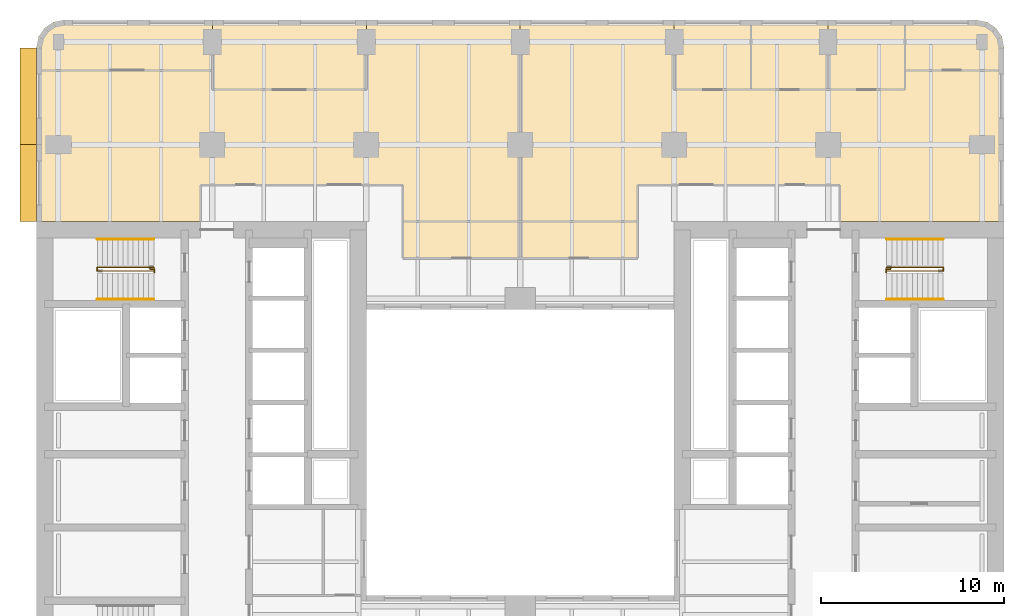
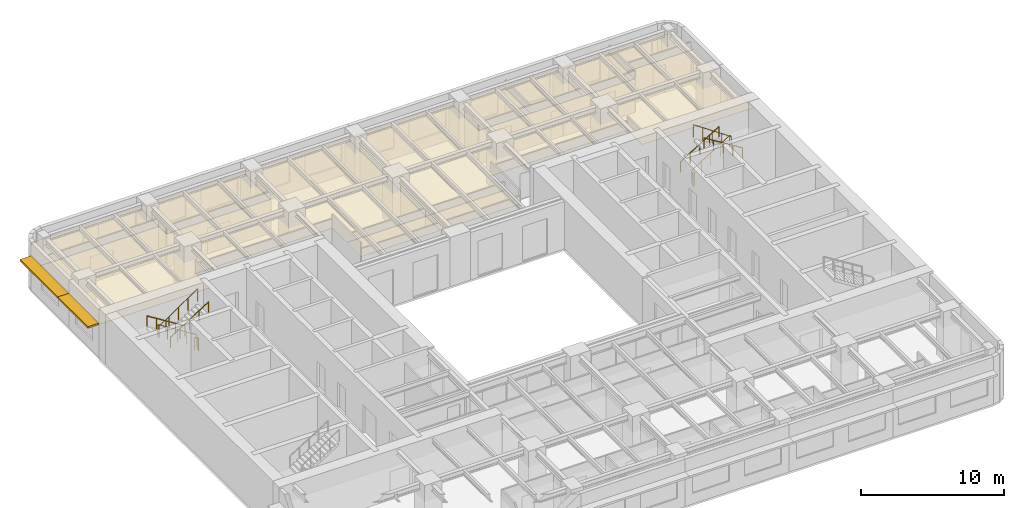
# One storey, part 11 of 11: 10 coverings, 8 railings, 2 shading devices.
"""IFC4 building model written with IfcOpenShell, lengths in metres."""

from ifc_helpers import new_model, si_unit, direction, frame, origin, origin_2d, place, context, subcontext, project, spatial, polyline, rectangle, circle, outline, extrude, material, layer, layer_set, type_object, element, save


model = new_model("IFC4")

# Units and contexts
model_context = context("Model", 3, precision=1e-05, world=origin(), true_north=direction((0.0, 1.0)))
body_context = subcontext(model_context, "Body", "Model", "MODEL_VIEW")
ifc_project = project(units=[si_unit("LENGTHUNIT", "METRE"), si_unit("AREAUNIT", "SQUARE_METRE"), si_unit("VOLUMEUNIT", "CUBIC_METRE"), si_unit("PLANEANGLEUNIT", "RADIAN"), si_unit("MASSUNIT", "GRAM", prefix="KILO")], contexts=[model_context])

# Site, building, storey
site_placement = place(None, origin())
site = spatial("IfcSite", under=ifc_project, at=site_placement, CompositionType="ELEMENT")
building_placement = place(site_placement, origin())
building = spatial("IfcBuilding", under=site, at=building_placement, Name="Claustro Exchange Tower", CompositionType="ELEMENT")
storey_placement = place(building_placement, frame((0.0, 0.0, 134.39990234375)))
storey = spatial("IfcBuildingStorey", under=building, at=storey_placement, Name="L30", CompositionType="ELEMENT", Elevation=134.39990234375)

# Coverings
ifc_material_1 = material(Name="Perforated metal ceiling tiles", Category="steel")
ifc_layer_1 = layer(ifc_material_1, 0.030029296875)
ifc_layer_set_1 = layer_set([ifc_layer_1], Name="Perforated metal ceiling tiles")
covering_type_1 = type_object("IfcCoveringType", Name="CL1 suspended metal ceiling", PredefinedType="CEILING", material=ifc_layer_set_1)
covering_1_placement = place(storey_placement, frame((0.0, 0.0, 2.800048828125)))
element("IfcCovering", 1, at=covering_1_placement, inside=storey, type_object=covering_type_1, Name="Ceiling CL1 L30-21", PredefinedType="CEILING", context=body_context, shape_type="SweptSolid", body=[
    extrude(outline(polyline([(-1.199951171875, 46.050048828125), (-1.199951171875, 37.800048828125), (7.75, 37.800048828125), (7.75, 39.800048828125), (16.800048828125, 39.800048828125), (18.800048828125, 39.800048828125), (18.800048828125, 37.800048828125), (25.199951171875, 37.800048828125), (25.199951171875, 48.800048828125), (16.800048828125, 48.800048828125), (16.800048828125, 45.0), (8.39990234375, 45.0), (8.39990234375, 46.050048828125), (-1.199951171875, 46.050048828125)])), origin(), (0.0, 0.0, 1.0), 0.030029296875),
])
ifc_material_2 = material(Name="Gypsum board ceiling", Category="gypsum board")
ifc_layer_2 = layer(ifc_material_2, 0.02490234375)
ifc_layer_set_2 = layer_set([ifc_layer_2], Name="Gypsum board ceiling")
covering_type_2 = type_object("IfcCoveringType", Name="CL2 plasterboard ceiling", PredefinedType="CEILING", material=ifc_layer_set_2)
covering_2_placement = place(storey_placement, frame((0.0, 0.0, 2.800048828125)))
element("IfcCovering", 2, at=covering_2_placement, inside=storey, type_object=covering_type_2, Name="Ceiling CL2 L30-18", PredefinedType="CEILING", context=body_context, shape_type="SweptSolid", body=[
    extrude(outline(polyline([(18.800048828125, 35.800048828125), (25.199951171875, 35.800048828125), (25.199951171875, 37.800048828125), (18.800048828125, 37.800048828125), (18.800048828125, 35.800048828125)])), origin(), (0.0, 0.0, 1.0), 0.025146484375),
])
covering_3_placement = place(storey_placement, frame((0.0, 0.0, 2.800048828125)))
element("IfcCovering", 3, at=covering_3_placement, inside=storey, type_object=covering_type_2, Name="Ceiling CL2 L30-19", PredefinedType="CEILING", context=body_context, shape_type="SweptSolid", body=[
    extrude(outline(polyline([(25.199951171875, 35.800048828125), (31.60009765625, 35.800048828125), (31.60009765625, 37.800048828125), (25.199951171875, 37.800048828125), (25.199951171875, 35.800048828125)])), origin(), (0.0, 0.0, 1.0), 0.025146484375),
])
covering_4_placement = place(storey_placement, frame((0.0, 0.0, 2.800048828125)))
element("IfcCovering", 4, at=covering_4_placement, inside=storey, type_object=covering_type_2, Name="Ceiling CL2 L30-20", PredefinedType="CEILING", context=body_context, shape_type="SweptSolid", body=[
    extrude(outline(polyline([(33.60009765625, 48.800048828125), (25.199951171875, 48.800048828125), (25.199951171875, 37.800048828125), (31.60009765625, 37.800048828125), (31.60009765625, 39.800048828125), (42.64990234375, 39.800048828125), (42.64990234375, 37.800048828125), (51.60009765625, 37.800048828125), (51.60009765625, 46.050048828125), (46.199951171875, 46.050048828125), (46.199951171875, 45.0), (42.0, 45.0), (37.800048828125, 45.0), (33.60009765625, 45.0), (33.60009765625, 48.800048828125)])), origin(), (0.0, 0.0, 1.0), 0.025146484375),
])
covering_5_placement = place(storey_placement, frame((0.0, 0.0, 2.800048828125)))
element("IfcCovering", 5, at=covering_5_placement, inside=storey, type_object=covering_type_2, Name="Ceiling CL2 L30-22", PredefinedType="CEILING", context=body_context, shape_type="SweptSolid", body=[
    extrude(outline(polyline([(16.800048828125, 48.800048828125), (8.39990234375, 48.800048828125), (8.39990234375, 45.0), (16.800048828125, 45.0), (16.800048828125, 48.800048828125)])), origin(), (0.0, 0.0, 1.0), 0.025146484375),
])
covering_6_placement = place(storey_placement, frame((0.0, 0.0, 2.800048828125)))
element("IfcCovering", 6, at=covering_6_placement, inside=storey, type_object=covering_type_2, Name="Ceiling CL2 L30-23", PredefinedType="CEILING", context=body_context, shape_type="SweptSolid", body=[
    extrude(outline(polyline([(37.800048828125, 48.800048828125), (33.60009765625, 48.800048828125), (33.60009765625, 45.0), (37.800048828125, 45.0), (37.800048828125, 48.800048828125)])), origin(), (0.0, 0.0, 1.0), 0.025146484375),
])
covering_7_placement = place(storey_placement, frame((0.0, 0.0, 2.800048828125)))
element("IfcCovering", 7, at=covering_7_placement, inside=storey, type_object=covering_type_2, Name="Ceiling CL2 L30-24", PredefinedType="CEILING", context=body_context, shape_type="SweptSolid", body=[
    extrude(outline(polyline([(42.0, 48.800048828125), (37.800048828125, 48.800048828125), (37.800048828125, 45.0), (42.0, 45.0), (42.0, 48.800048828125)])), origin(), (0.0, 0.0, 1.0), 0.025146484375),
])
covering_8_placement = place(storey_placement, frame((0.0, 0.0, 2.800048828125)))
element("IfcCovering", 8, at=covering_8_placement, inside=storey, type_object=covering_type_2, Name="Ceiling CL2 L30-25", PredefinedType="CEILING", context=body_context, shape_type="SweptSolid", body=[
    extrude(outline(polyline([(46.199951171875, 48.800048828125), (42.0, 48.800048828125), (42.0, 45.0), (46.199951171875, 45.0), (46.199951171875, 48.800048828125)])), origin(), (0.0, 0.0, 1.0), 0.025146484375),
])
covering_9_placement = place(storey_placement, frame((0.0, 0.0, 2.800048828125)))
element("IfcCovering", 9, at=covering_9_placement, inside=storey, type_object=covering_type_2, Name="Ceiling CL2 L30-26", PredefinedType="CEILING", context=body_context, shape_type="SweptSolid", body=[
    extrude(outline(polyline([(-1.199951171875, 47.300048828125), (-1.199951171875, 46.050048828125), (8.39990234375, 46.050048828125), (8.39990234375, 48.800048828125), (0.300048828125, 48.800048828125), (-0.27392578125, 48.685791015625), (-0.7607421875, 48.360595703125), (-1.085693359375, 47.8740234375), (-1.199951171875, 47.300048828125)])), origin(), (0.0, 0.0, 1.0), 0.025146484375),
])
covering_10_placement = place(storey_placement, frame((0.0, 0.0, 2.800048828125)))
element("IfcCovering", 10, at=covering_10_placement, inside=storey, type_object=covering_type_2, Name="Ceiling CL2 L30-27", PredefinedType="CEILING", context=body_context, shape_type="SweptSolid", body=[
    extrude(outline(polyline([(50.10009765625, 48.800048828125), (46.199951171875, 48.800048828125), (46.199951171875, 46.050048828125), (51.60009765625, 46.050048828125), (51.60009765625, 47.300048828125), (51.48583984375, 47.8740234375), (51.16064453125, 48.360595703125), (50.674072265625, 48.685791015625), (50.10009765625, 48.800048828125)])), origin(), (0.0, 0.0, 1.0), 0.025146484375),
])

# Railings
ifc_material_3 = material(Name="Steel balustrade, painted", Category="steel")
railing_type_1 = type_object("IfcRailingType", Name="GR2 1100 steel stair guard", PredefinedType="GUARDRAIL", material=ifc_material_3)
railing_1_placement = place(storey_placement, frame((5.199951171875, 35.300048828125, 0.175048828125)))
element("IfcRailing", 11, at=railing_1_placement, inside=storey, type_object=railing_type_1, Name="Stair well guard GR2 stair STWB L30", PredefinedType="GUARDRAIL", context=body_context, shape_type="SweptSolid", body=[
    extrude(circle(Radius=0.02392578125, at=origin_2d()), frame((0.0, 0.0, 1.076171875), z_axis=(-0.847979421464, 0.0, 0.530029150871), x_axis=(0.0, -1.0, 0.0)), (0.0, 0.0, 1.0), 3.632080078125),
    extrude(circle(Radius=0.02392578125, at=origin_2d()), frame((-3.079833984375, 0.0, 3.0009765625), z_axis=(0.0, -1.0, 0.0), x_axis=(1.0, 0.0, 0.0)), (0.0, 0.0, 1.0), 0.199951171875),
    extrude(circle(Radius=0.02392578125, at=origin_2d()), frame((-3.079833984375, -0.199951171875, 3.0009765625), z_axis=(0.826201015165, 0.0, 0.563375436579), x_axis=(0.0, 1.0, 0.0)), (0.0, 0.0, 1.0), 3.727783203125),
    extrude(circle(Radius=0.02099609375, at=origin_2d()), origin(), (0.0, 0.0, 1.0), 1.052001953125),
    extrude(circle(Radius=0.02099609375, at=origin_2d()), frame((-0.77001953125, 0.0, 0.481201171875)), (0.0, 0.0, 1.0), 1.052001953125),
    extrude(circle(Radius=0.02099609375, at=origin_2d()), frame((-1.5400390625, 0.0, 0.96240234375)), (0.0, 0.0, 1.0), 1.052001953125),
    extrude(circle(Radius=0.02099609375, at=origin_2d()), frame((-2.309814453125, 0.0, 1.44384765625)), (0.0, 0.0, 1.0), 1.052001953125),
    extrude(circle(Radius=0.02099609375, at=origin_2d()), frame((-3.079833984375, 0.0, 1.925048828125)), (0.0, 0.0, 1.0), 1.052001953125),
    extrude(circle(Radius=0.02099609375, at=origin_2d()), frame((-3.079833984375, -0.199951171875, 1.925048828125)), (0.0, 0.0, 1.0), 1.052001953125),
    extrude(circle(Radius=0.02099609375, at=origin_2d()), frame((-2.309814453125, -0.199951171875, 2.4501953125)), (0.0, 0.0, 1.0), 1.052001953125),
    extrude(circle(Radius=0.02099609375, at=origin_2d()), frame((-1.5400390625, -0.199951171875, 2.97509765625)), (0.0, 0.0, 1.0), 1.052001953125),
    extrude(circle(Radius=0.02099609375, at=origin_2d()), frame((-0.77001953125, -0.199951171875, 3.5)), (0.0, 0.0, 1.0), 1.052001953125),
    extrude(circle(Radius=0.02099609375, at=origin_2d()), frame((0.0, -0.199951171875, 4.025146484375)), (0.0, 0.0, 1.0), 1.052001953125),
])
railing_2_placement = place(storey_placement, frame((5.0, 35.22998046875, 0.0)))
element("IfcRailing", 12, at=railing_2_placement, inside=storey, type_object=railing_type_1, Name="Stair guard GR2 STWB L30", PredefinedType="GUARDRAIL", context=body_context, shape_type="SweptSolid", body=[
    extrude(circle(Radius=0.02392578125, at=origin_2d()), frame((0.0, 0.0, 1.076171875), z_axis=(0.0, -1.0, 0.0), x_axis=(1.0, 0.0, 0.0)), (0.0, 0.0, 1.0), 0.030029296875),
    extrude(circle(Radius=0.02392578125, at=origin_2d()), frame((0.0, -0.030029296875, 1.076171875), z_axis=(1.0, 0.0, 0.0), x_axis=(0.0, 1.0, 0.0)), (0.0, 0.0, 1.0), 0.22509765625),
    extrude(circle(Radius=0.02392578125, at=origin_2d()), frame((0.22509765625, -0.030029296875, 1.076171875), z_axis=(0.0, -1.0, 0.0), x_axis=(1.0, 0.0, 0.0)), (0.0, 0.0, 1.0), 0.179931640625),
    extrude(circle(Radius=0.02099609375, at=origin_2d()), origin(), (0.0, 0.0, 1.0), 1.052001953125),
    extrude(circle(Radius=0.02099609375, at=origin_2d()), frame((0.0, -0.030029296875, 0.0)), (0.0, 0.0, 1.0), 1.052001953125),
    extrude(circle(Radius=0.02099609375, at=origin_2d()), frame((0.22509765625, -0.030029296875, 0.0)), (0.0, 0.0, 1.0), 1.052001953125),
    extrude(circle(Radius=0.02099609375, at=origin_2d()), frame((0.22509765625, -0.2099609375, 0.0)), (0.0, 0.0, 1.0), 1.052001953125),
])
railing_3_placement = place(storey_placement, frame((45.199951171875, 35.300048828125, 0.175048828125)))
element("IfcRailing", 13, at=railing_3_placement, inside=storey, type_object=railing_type_1, Name="Stair well guard GR2 stair STEB L30", PredefinedType="GUARDRAIL", context=body_context, shape_type="SweptSolid", body=[
    extrude(circle(Radius=0.02392578125, at=origin_2d()), frame((0.0, 0.0, 1.076171875), z_axis=(0.847998304005, 0.0, 0.529998940003), x_axis=(0.0, 1.0, 0.0)), (0.0, 0.0, 1.0), 3.632080078125),
    extrude(circle(Radius=0.02392578125, at=origin_2d()), frame((3.080078125, 0.0, 3.0009765625), z_axis=(0.0, -1.0, 0.0), x_axis=(1.0, 0.0, 0.0)), (0.0, 0.0, 1.0), 0.199951171875),
    extrude(circle(Radius=0.02392578125, at=origin_2d()), frame((3.080078125, -0.199951171875, 3.0009765625), z_axis=(-0.826221800596, 0.0, 0.563344953133), x_axis=(0.0, -1.0, 0.0)), (0.0, 0.0, 1.0), 3.72802734375),
    extrude(circle(Radius=0.02099609375, at=origin_2d()), origin(), (0.0, 0.0, 1.0), 1.052001953125),
    extrude(circle(Radius=0.02099609375, at=origin_2d()), frame((0.77001953125, 0.0, 0.481201171875)), (0.0, 0.0, 1.0), 1.052001953125),
    extrude(circle(Radius=0.02099609375, at=origin_2d()), frame((1.5400390625, 0.0, 0.96240234375)), (0.0, 0.0, 1.0), 1.052001953125),
    extrude(circle(Radius=0.02099609375, at=origin_2d()), frame((2.31005859375, 0.0, 1.44384765625)), (0.0, 0.0, 1.0), 1.052001953125),
    extrude(circle(Radius=0.02099609375, at=origin_2d()), frame((3.080078125, 0.0, 1.925048828125)), (0.0, 0.0, 1.0), 1.052001953125),
    extrude(circle(Radius=0.02099609375, at=origin_2d()), frame((3.080078125, -0.199951171875, 1.925048828125)), (0.0, 0.0, 1.0), 1.052001953125),
    extrude(circle(Radius=0.02099609375, at=origin_2d()), frame((2.31005859375, -0.199951171875, 2.4501953125)), (0.0, 0.0, 1.0), 1.052001953125),
    extrude(circle(Radius=0.02099609375, at=origin_2d()), frame((1.5400390625, -0.199951171875, 2.97509765625)), (0.0, 0.0, 1.0), 1.052001953125),
    extrude(circle(Radius=0.02099609375, at=origin_2d()), frame((0.77001953125, -0.199951171875, 3.5)), (0.0, 0.0, 1.0), 1.052001953125),
    extrude(circle(Radius=0.02099609375, at=origin_2d()), frame((0.0, -0.199951171875, 4.025146484375)), (0.0, 0.0, 1.0), 1.052001953125),
])
railing_4_placement = place(storey_placement, frame((45.39990234375, 35.22998046875, 0.0)))
element("IfcRailing", 14, at=railing_4_placement, inside=storey, type_object=railing_type_1, Name="Stair guard GR2 STEB L30", PredefinedType="GUARDRAIL", context=body_context, shape_type="SweptSolid", body=[
    extrude(circle(Radius=0.02392578125, at=origin_2d()), frame((0.0, 0.0, 1.076171875), z_axis=(0.0, -1.0, 0.0), x_axis=(1.0, 0.0, 0.0)), (0.0, 0.0, 1.0), 0.030029296875),
    extrude(circle(Radius=0.02392578125, at=origin_2d()), frame((0.0, -0.030029296875, 1.076171875), z_axis=(-1.0, 0.0, 0.0), x_axis=(0.0, -1.0, 0.0)), (0.0, 0.0, 1.0), 0.224853515625),
    extrude(circle(Radius=0.02392578125, at=origin_2d()), frame((-0.224853515625, -0.030029296875, 1.076171875), z_axis=(0.0, -1.0, 0.0), x_axis=(1.0, 0.0, 0.0)), (0.0, 0.0, 1.0), 0.179931640625),
    extrude(circle(Radius=0.02099609375, at=origin_2d()), origin(), (0.0, 0.0, 1.0), 1.052001953125),
    extrude(circle(Radius=0.02099609375, at=origin_2d()), frame((0.0, -0.030029296875, 0.0)), (0.0, 0.0, 1.0), 1.052001953125),
    extrude(circle(Radius=0.02099609375, at=origin_2d()), frame((-0.224853515625, -0.030029296875, 0.0)), (0.0, 0.0, 1.0), 1.052001953125),
    extrude(circle(Radius=0.02099609375, at=origin_2d()), frame((-0.224853515625, -0.2099609375, 0.0)), (0.0, 0.0, 1.0), 1.052001953125),
])
ifc_material_4 = material(Name="Stainless steel tube", Category="steel")
railing_type_2 = type_object("IfcRailingType", Name="HR1 900 stair handrail", PredefinedType="HANDRAIL", material=ifc_material_4)
railing_5_placement = place(storey_placement, frame((5.199951171875, 36.840087890625, 0.175048828125)))
element("IfcRailing", 15, at=railing_5_placement, inside=storey, type_object=railing_type_2, Name="Handrail HR1 stair STWB L30", PredefinedType="HANDRAIL", context=body_context, shape_type="SweptSolid", body=[
    extrude(circle(Radius=0.02392578125, at=origin_2d()), frame((0.0, 0.0, 0.8759765625), z_axis=(-0.847979421464, 0.0, 0.530029150871), x_axis=(0.0, -1.0, 0.0)), (0.0, 0.0, 1.0), 3.632080078125),
    extrude(circle(Radius=0.02099609375, at=origin_2d()), origin(), (0.0, 0.0, 1.0), 0.851806640625),
    extrude(circle(Radius=0.02099609375, at=origin_2d()), frame((-0.77001953125, 0.0, 0.481201171875)), (0.0, 0.0, 1.0), 0.851806640625),
    extrude(circle(Radius=0.02099609375, at=origin_2d()), frame((-1.5400390625, 0.0, 0.96240234375)), (0.0, 0.0, 1.0), 0.851806640625),
    extrude(circle(Radius=0.02099609375, at=origin_2d()), frame((-2.309814453125, 0.0, 1.44384765625)), (0.0, 0.0, 1.0), 0.851806640625),
    extrude(circle(Radius=0.02099609375, at=origin_2d()), frame((-3.079833984375, 0.0, 1.925048828125)), (0.0, 0.0, 1.0), 0.851806640625),
])
railing_6_placement = place(storey_placement, frame((2.1201171875, 33.56005859375, 2.275146484375)))
element("IfcRailing", 16, at=railing_6_placement, inside=storey, type_object=railing_type_2, Name="Handrail HR1 stair STWB L30", PredefinedType="HANDRAIL", context=body_context, shape_type="SweptSolid", body=[
    extrude(circle(Radius=0.02392578125, at=origin_2d()), frame((0.0, 0.0, 0.8759765625), z_axis=(0.847979421464, 0.0, 0.530029150871), x_axis=(0.0, 1.0, 0.0)), (0.0, 0.0, 1.0), 3.632080078125),
    extrude(circle(Radius=0.02099609375, at=origin_2d()), origin(), (0.0, 0.0, 1.0), 0.851806640625),
    extrude(circle(Radius=0.02099609375, at=origin_2d()), frame((0.77001953125, 0.0, 0.481201171875)), (0.0, 0.0, 1.0), 0.851806640625),
    extrude(circle(Radius=0.02099609375, at=origin_2d()), frame((1.5400390625, 0.0, 0.96240234375)), (0.0, 0.0, 1.0), 0.851806640625),
    extrude(circle(Radius=0.02099609375, at=origin_2d()), frame((2.309814453125, 0.0, 1.44384765625)), (0.0, 0.0, 1.0), 0.851806640625),
    extrude(circle(Radius=0.02099609375, at=origin_2d()), frame((3.079833984375, 0.0, 1.925048828125)), (0.0, 0.0, 1.0), 0.851806640625),
])
railing_7_placement = place(storey_placement, frame((45.199951171875, 36.840087890625, 0.175048828125)))
element("IfcRailing", 17, at=railing_7_placement, inside=storey, type_object=railing_type_2, Name="Handrail HR1 stair STEB L30", PredefinedType="HANDRAIL", context=body_context, shape_type="SweptSolid", body=[
    extrude(circle(Radius=0.02392578125, at=origin_2d()), frame((0.0, 0.0, 0.8759765625), z_axis=(0.847998304005, 0.0, 0.529998940003), x_axis=(0.0, 1.0, 0.0)), (0.0, 0.0, 1.0), 3.632080078125),
    extrude(circle(Radius=0.02099609375, at=origin_2d()), origin(), (0.0, 0.0, 1.0), 0.851806640625),
    extrude(circle(Radius=0.02099609375, at=origin_2d()), frame((0.77001953125, 0.0, 0.481201171875)), (0.0, 0.0, 1.0), 0.851806640625),
    extrude(circle(Radius=0.02099609375, at=origin_2d()), frame((1.5400390625, 0.0, 0.96240234375)), (0.0, 0.0, 1.0), 0.851806640625),
    extrude(circle(Radius=0.02099609375, at=origin_2d()), frame((2.31005859375, 0.0, 1.44384765625)), (0.0, 0.0, 1.0), 0.851806640625),
    extrude(circle(Radius=0.02099609375, at=origin_2d()), frame((3.080078125, 0.0, 1.925048828125)), (0.0, 0.0, 1.0), 0.851806640625),
])
railing_8_placement = place(storey_placement, frame((48.280029296875, 33.56005859375, 2.275146484375)))
element("IfcRailing", 18, at=railing_8_placement, inside=storey, type_object=railing_type_2, Name="Handrail HR1 stair STEB L30", PredefinedType="HANDRAIL", context=body_context, shape_type="SweptSolid", body=[
    extrude(circle(Radius=0.02392578125, at=origin_2d()), frame((0.0, 0.0, 0.8759765625), z_axis=(-0.847998304005, 0.0, 0.529998940003), x_axis=(0.0, -1.0, 0.0)), (0.0, 0.0, 1.0), 3.632080078125),
    extrude(circle(Radius=0.02099609375, at=origin_2d()), origin(), (0.0, 0.0, 1.0), 0.851806640625),
    extrude(circle(Radius=0.02099609375, at=origin_2d()), frame((-0.77001953125, 0.0, 0.481201171875)), (0.0, 0.0, 1.0), 0.851806640625),
    extrude(circle(Radius=0.02099609375, at=origin_2d()), frame((-1.5400390625, 0.0, 0.96240234375)), (0.0, 0.0, 1.0), 0.851806640625),
    extrude(circle(Radius=0.02099609375, at=origin_2d()), frame((-2.31005859375, 0.0, 1.44384765625)), (0.0, 0.0, 1.0), 0.851806640625),
    extrude(circle(Radius=0.02099609375, at=origin_2d()), frame((-3.080078125, 0.0, 1.925048828125)), (0.0, 0.0, 1.0), 0.851806640625),
])

# Shading devices
ifc_material_5 = material(Name="Concrete HA-40 (C40/50), precast, white cement, acid-etched", Category="concrete")
ifc_layer_3 = layer(ifc_material_5, 0.14990234375)
ifc_layer_set_3 = layer_set([ifc_layer_3], Name="Concrete HA-40 (C40/50), precast, white cement, acid-etched")
shading_device_type = type_object("IfcShadingDeviceType", Name="SS2 900 precast concrete SUNSHADE", PredefinedType="SHUTTER", material=ifc_layer_set_3)
shading_device_1_placement = place(storey_placement, frame((-1.64990234375, 39.89990234375, 2.800048828125), z_axis=(0.0, 0.0, 1.0), x_axis=(0.0, 1.0, 0.0)))
element("IfcShadingDevice", 19, at=shading_device_1_placement, inside=storey, type_object=shading_device_type, Name="Precast SUNSHADE SS2 L30", PredefinedType="SHUTTER", context=body_context, shape_type="SweptSolid", body=[
    extrude(rectangle(XDim=4.199951171875, YDim=0.89990234375, at=origin_2d()), origin(), (0.0, 0.0, 1.0), 0.14990234375),
])
shading_device_2_placement = place(storey_placement, frame((-1.64990234375, 44.642578125, 2.800048828125), z_axis=(0.0, 0.0, 1.0), x_axis=(0.0, 1.0, 0.0)))
element("IfcShadingDevice", 20, at=shading_device_2_placement, inside=storey, type_object=shading_device_type, Name="Precast SUNSHADE SS2 L30", PredefinedType="SHUTTER", context=body_context, shape_type="SweptSolid", body=[
    extrude(rectangle(XDim=5.28515625, YDim=0.89990234375, at=origin_2d()), origin(), (0.0, 0.0, 1.0), 0.14990234375),
])

save(model, "model.ifc")
